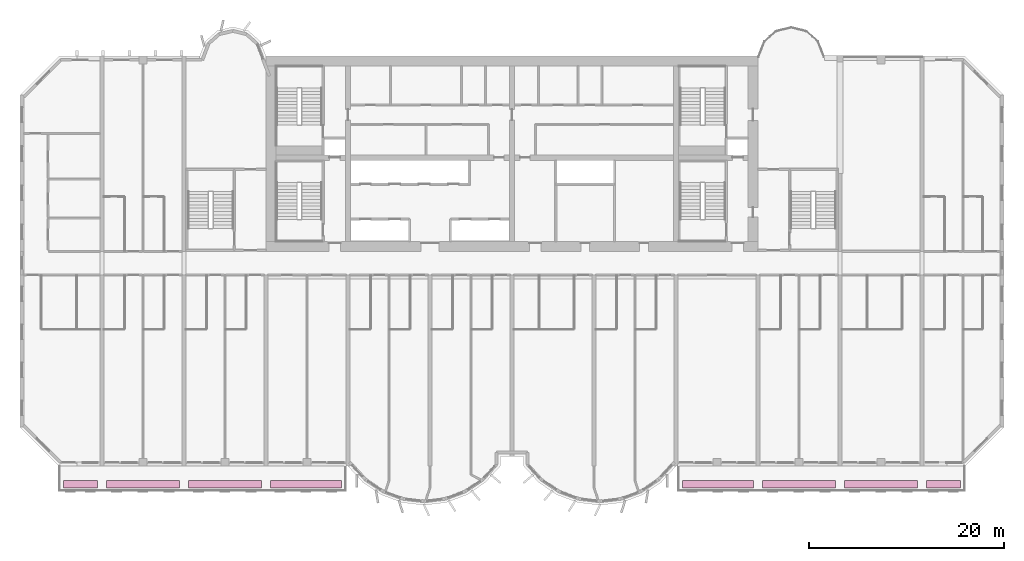
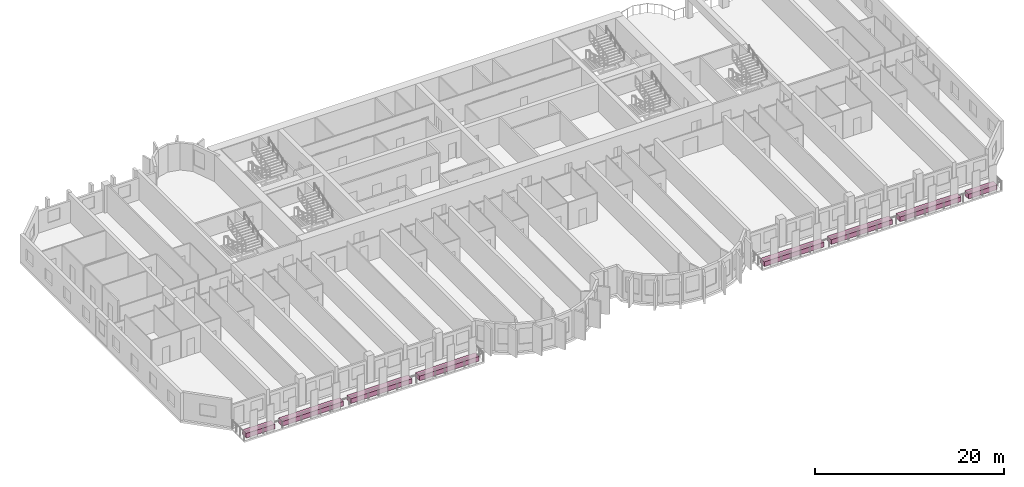
# One storey, part 14 of 14: 8 furniture elements.
"""IFC4 building model written with IfcOpenShell, lengths in metres."""

from ifc_helpers import new_model, si_unit, direction, frame, origin, origin_2d, place, context, subcontext, project, spatial, rectangle, extrude, source, transform, mapped, material, type_object, element, save


model = new_model("IFC4")

# Units and contexts
model_context = context("Model", 3, precision=1e-05, world=origin(), true_north=direction((0.0, 1.0)))
body_context = subcontext(model_context, "Body", "Model", "MODEL_VIEW")
ifc_project = project(units=[si_unit("LENGTHUNIT", "METRE"), si_unit("AREAUNIT", "SQUARE_METRE"), si_unit("VOLUMEUNIT", "CUBIC_METRE"), si_unit("PLANEANGLEUNIT", "RADIAN"), si_unit("MASSUNIT", "GRAM", prefix="KILO")], contexts=[model_context])

# Site, building, storey
site_placement = place(None, origin())
site = spatial("IfcSite", under=ifc_project, at=site_placement, CompositionType="ELEMENT")
building_placement = place(site_placement, origin())
building = spatial("IfcBuilding", under=site, at=building_placement, Name="Vanashikhar Sky Hotel", CompositionType="ELEMENT")
storey_placement = place(building_placement, frame((0.0, 0.0, 73.39990234375)))
storey = spatial("IfcBuildingStorey", under=building, at=storey_placement, Name="L17", CompositionType="ELEMENT", Elevation=73.39990234375)

# Furniture
ifc_material = material(Name="Planting soil and shrubs")
furniture_type = type_object("IfcFurnitureType", Name="Planter trough", AssemblyPlace="NOTDEFINED", PredefinedType="USERDEFINED", material=ifc_material)
shared_shape_1 = source(origin(), body_context, "Body", "SweptSolid", [
    extrude(rectangle(XDim=3.5, YDim=0.800048828125, at=origin_2d()), origin(), (0.0, 0.0, 1.0), 0.60009765625),
])
for number, where, z_axis, x_axis, name in (
    (1, (6.199951171875, -1.85009765625, -0.050048828125), (0.0, 0.0, 1.0), (1.0, 0.0, 0.0), "PLANTER with climbers"),
    (2, (94.60009765625, -1.85009765625, -0.050048828125), (0.0, 0.0, 1.0), (1.0, 0.0, 0.0), "PLANTER with climbers"),
):
    element("IfcFurniture", number, at=place(storey_placement, frame(where, z_axis=z_axis, x_axis=x_axis)), inside=storey, type_object=furniture_type, Name=name, ObjectType="PLANTER", PredefinedType="USERDEFINED", context=body_context, shape_type="MappedRepresentation", body=[
        mapped(shared_shape_1, transform((0.0, 0.0, 0.0), scale=1.0)),
    ])
shared_shape_2 = source(origin(), body_context, "Body", "SweptSolid", [
    extrude(rectangle(XDim=7.5, YDim=0.800048828125, at=origin_2d()), origin(), (0.0, 0.0, 1.0), 0.60009765625),
])
for number, where, z_axis, x_axis, name in (
    (3, (12.60009765625, -1.85009765625, -0.050048828125), (0.0, 0.0, 1.0), (1.0, 0.0, 0.0), "PLANTER with climbers"),
    (4, (21.0, -1.85009765625, -0.050048828125), (0.0, 0.0, 1.0), (1.0, 0.0, 0.0), "PLANTER with climbers"),
    (5, (79.800048828125, -1.85009765625, -0.050048828125), (0.0, 0.0, 1.0), (1.0, 0.0, 0.0), "PLANTER with climbers"),
    (6, (88.199951171875, -1.85009765625, -0.050048828125), (0.0, 0.0, 1.0), (1.0, 0.0, 0.0), "PLANTER with climbers"),
):
    element("IfcFurniture", number, at=place(storey_placement, frame(where, z_axis=z_axis, x_axis=x_axis)), inside=storey, type_object=furniture_type, Name=name, ObjectType="PLANTER", PredefinedType="USERDEFINED", context=body_context, shape_type="MappedRepresentation", body=[
        mapped(shared_shape_2, transform((0.0, 0.0, 0.0), scale=1.0)),
    ])
shared_shape_3 = source(origin(), body_context, "Body", "SweptSolid", [
    extrude(rectangle(XDim=7.300048828125, YDim=0.800048828125, at=origin_2d()), origin(), (0.0, 0.0, 1.0), 0.60009765625),
])
for number, where, z_axis, x_axis, name in (
    (7, (29.300048828125, -1.85009765625, -0.050048828125), (0.0, 0.0, 1.0), (1.0, 0.0, 0.0), "PLANTER with climbers"),
    (8, (71.5, -1.85009765625, -0.050048828125), (0.0, 0.0, 1.0), (1.0, 0.0, 0.0), "PLANTER with climbers"),
):
    element("IfcFurniture", number, at=place(storey_placement, frame(where, z_axis=z_axis, x_axis=x_axis)), inside=storey, type_object=furniture_type, Name=name, ObjectType="PLANTER", PredefinedType="USERDEFINED", context=body_context, shape_type="MappedRepresentation", body=[
        mapped(shared_shape_3, transform((0.0, 0.0, 0.0), scale=1.0)),
    ])

save(model, "model.ifc")
